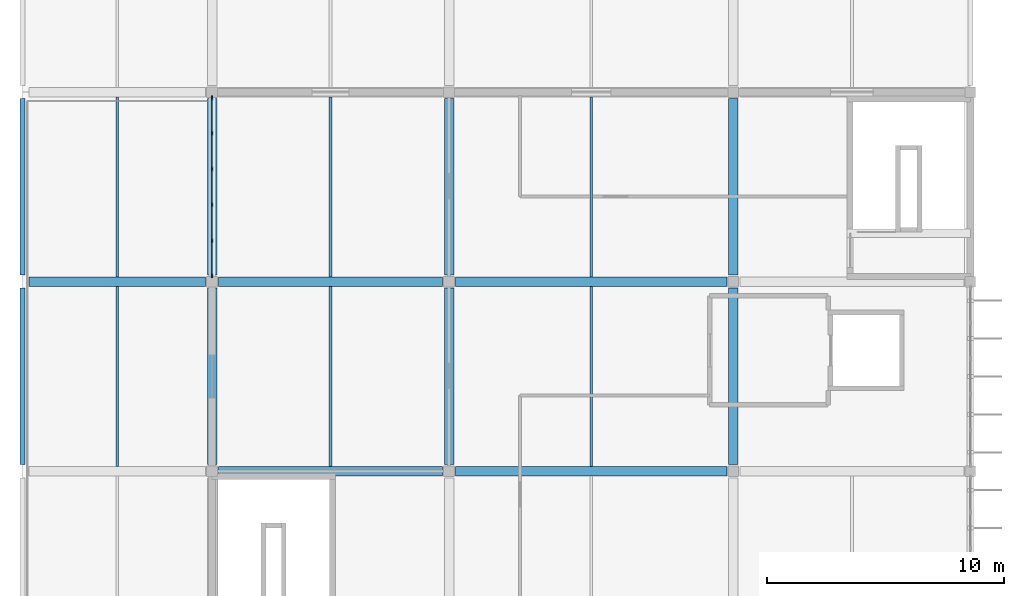
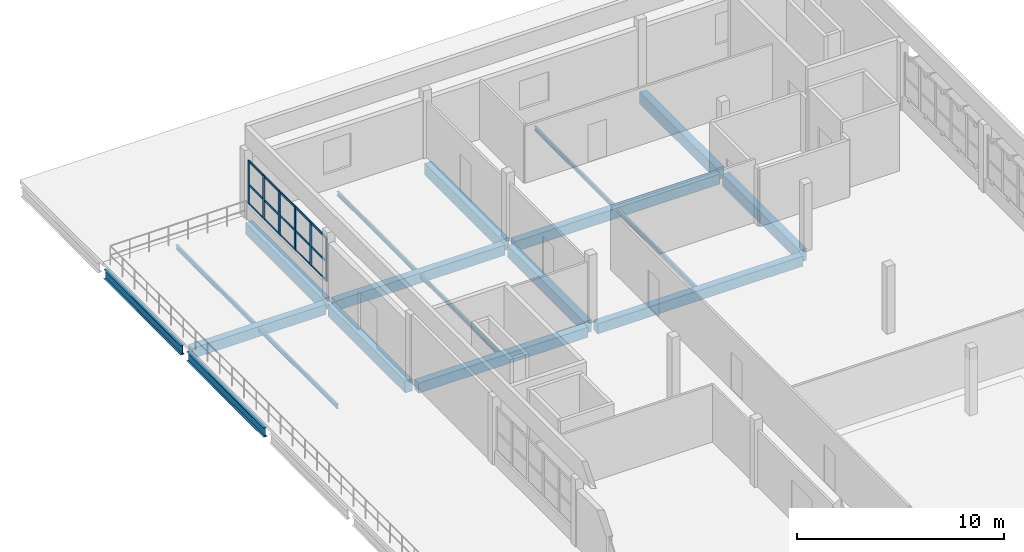
# One storey, part 5 of 12: 21 members, 19 beams, 1 element without a shape of its own.
"""IFC4 building model written with IfcOpenShell, lengths in metres."""

from ifc_helpers import new_model, si_unit, direction, frame, origin, origin_2d, place, context, subcontext, project, spatial, rectangle, i_section, extrude, material, layer, layer_set, material_profile, profile_set, type_object, element, aggregate, save


model = new_model("IFC4")

# Units and contexts
model_context = context("Model", 3, precision=1e-05, world=origin(), true_north=direction((0.0, 1.0)))
body_context = subcontext(model_context, "Body", "Model", "MODEL_VIEW")
ifc_project = project(units=[si_unit("LENGTHUNIT", "METRE"), si_unit("AREAUNIT", "SQUARE_METRE"), si_unit("VOLUMEUNIT", "CUBIC_METRE"), si_unit("PLANEANGLEUNIT", "RADIAN"), si_unit("MASSUNIT", "GRAM", prefix="KILO")], contexts=[model_context])

# Site, building, storey
site_placement = place(None, origin())
site = spatial("IfcSite", under=ifc_project, at=site_placement, CompositionType="ELEMENT")
building_placement = place(site_placement, origin())
building = spatial("IfcBuilding", under=site, at=building_placement, Name="Drelvana Railside Aquatics Centre", CompositionType="ELEMENT")
storey_placement = place(building_placement, frame((0.0, 0.0, 18.60009765625)))
storey = spatial("IfcBuildingStorey", under=building, at=storey_placement, Name="L04", CompositionType="ELEMENT", Elevation=18.60009765625)

# Curtain wall, members
ifc_material_1 = material(Name="Bronze-anodised aluminium curtain wall", Category="aluminium")
ifc_layer = layer(ifc_material_1, 0.175048828125, Name="Bronze-anodised aluminium curtain wall")
ifc_layer_set = layer_set([ifc_layer], Name="Bronze-anodised aluminium curtain wall")
curtain_wall_type = type_object("IfcCurtainWallType", Name="CW-Z6-WING", PredefinedType="NOTDEFINED", material=ifc_layer_set)
curtain_wall_placement = place(storey_placement, origin())
curtain_wall = element("IfcCurtainWall", 1, at=curtain_wall_placement, inside=storey, type_object=curtain_wall_type, Name="Curtain wall CW-06-165", PredefinedType="NOTDEFINED")
ifc_material_2 = material(Name="Bronze-anodised aluminium 6063-T6", Category="aluminium")
ifc_material_profile_1 = material_profile(ifc_material_2, rectangle(XDim=0.06494140625, YDim=0.175048828125, at=origin_2d()), Name="ALU-M 65x175")
ifc_profile_set_1 = profile_set([ifc_material_profile_1], Name="Bronze-anodised aluminium 6063-T6")
member_type_1 = type_object("IfcMemberType", Name="CW-Z6-WING-MUL", PredefinedType="MULLION", material=ifc_profile_set_1)
member_1_placement = place(storey_placement, frame((152.0, 72.25146484375, 0.7939453125), z_axis=(0.0, 0.0, 1.0), x_axis=(-1.0, 0.0, 0.0)))
member_1 = element("IfcMember", 2, at=member_1_placement, type_object=member_type_1, Name="CW-06 mullion 1", PredefinedType="MULLION", context=body_context, shape_type="SweptSolid", body=[
    extrude(rectangle(XDim=0.06494140625, YDim=0.175048828125, at=origin_2d()), origin(), (0.0, 0.0, 1.0), 2.571044921875),
])
member_2_placement = place(storey_placement, frame((152.0, 73.7314453125, 0.7939453125), z_axis=(0.0, 0.0, 1.0), x_axis=(-1.0, 0.0, 0.0)))
member_2 = element("IfcMember", 3, at=member_2_placement, type_object=member_type_1, Name="CW-06 mullion 2", PredefinedType="MULLION", context=body_context, shape_type="SweptSolid", body=[
    extrude(rectangle(XDim=0.06494140625, YDim=0.175048828125, at=origin_2d()), origin(), (0.0, 0.0, 1.0), 2.571044921875),
])
member_3_placement = place(storey_placement, frame((152.0, 75.243896484375, 0.7939453125), z_axis=(0.0, 0.0, 1.0), x_axis=(-1.0, 0.0, 0.0)))
member_3 = element("IfcMember", 4, at=member_3_placement, type_object=member_type_1, Name="CW-06 mullion 3", PredefinedType="MULLION", context=body_context, shape_type="SweptSolid", body=[
    extrude(rectangle(XDim=0.06494140625, YDim=0.175048828125, at=origin_2d()), origin(), (0.0, 0.0, 1.0), 2.571044921875),
])
member_4_placement = place(storey_placement, frame((152.0, 76.756103515625, 0.7939453125), z_axis=(0.0, 0.0, 1.0), x_axis=(-1.0, 0.0, 0.0)))
member_4 = element("IfcMember", 5, at=member_4_placement, type_object=member_type_1, Name="CW-06 mullion 4", PredefinedType="MULLION", context=body_context, shape_type="SweptSolid", body=[
    extrude(rectangle(XDim=0.06494140625, YDim=0.175048828125, at=origin_2d()), origin(), (0.0, 0.0, 1.0), 2.571044921875),
])
member_5_placement = place(storey_placement, frame((152.0, 78.2685546875, 0.7939453125), z_axis=(0.0, 0.0, 1.0), x_axis=(-1.0, 0.0, 0.0)))
member_5 = element("IfcMember", 6, at=member_5_placement, type_object=member_type_1, Name="CW-06 mullion 5", PredefinedType="MULLION", context=body_context, shape_type="SweptSolid", body=[
    extrude(rectangle(XDim=0.06494140625, YDim=0.175048828125, at=origin_2d()), origin(), (0.0, 0.0, 1.0), 2.571044921875),
])
member_6_placement = place(storey_placement, frame((152.0, 79.74853515625, 0.7939453125), z_axis=(0.0, 0.0, 1.0), x_axis=(-1.0, 0.0, 0.0)))
member_6 = element("IfcMember", 7, at=member_6_placement, type_object=member_type_1, Name="CW-06 mullion 6", PredefinedType="MULLION", context=body_context, shape_type="SweptSolid", body=[
    extrude(rectangle(XDim=0.06494140625, YDim=0.175048828125, at=origin_2d()), origin(), (0.0, 0.0, 1.0), 2.571044921875),
])
ifc_material_profile_2 = material_profile(ifc_material_2, rectangle(XDim=0.1201171875, YDim=0.06005859375, at=origin_2d()), Name="ALU-T 60x120")
ifc_profile_set_2 = profile_set([ifc_material_profile_2], Name="Bronze-anodised aluminium 6063-T6")
member_type_2 = type_object("IfcMemberType", Name="CW-Z6-WING-TRN", PredefinedType="USERDEFINED", material=ifc_profile_set_2)
member_7_placement = place(storey_placement, frame((152.0, 72.279052734375, 0.823974609375), z_axis=(0.0, 1.0, 0.0), x_axis=(0.0, 0.0, 1.0)))
member_7 = element("IfcMember", 8, at=member_7_placement, type_object=member_type_2, Name="CW-06 transom 1.1", ObjectType="TRANSOM", PredefinedType="USERDEFINED", context=body_context, shape_type="SweptSolid", body=[
    extrude(rectangle(XDim=0.1201171875, YDim=0.06005859375, at=origin_2d()), origin(), (0.0, 0.0, 1.0), 1.4248046875),
])
member_8_placement = place(storey_placement, frame((152.0, 72.279052734375, 1.950927734375), z_axis=(0.0, 1.0, 0.0), x_axis=(0.0, 0.0, 1.0)))
member_8 = element("IfcMember", 9, at=member_8_placement, type_object=member_type_2, Name="CW-06 transom 1.2", ObjectType="TRANSOM", PredefinedType="USERDEFINED", context=body_context, shape_type="SweptSolid", body=[
    extrude(rectangle(XDim=0.1201171875, YDim=0.06005859375, at=origin_2d()), origin(), (0.0, 0.0, 1.0), 1.4248046875),
])
member_9_placement = place(storey_placement, frame((152.0, 72.279052734375, 3.3349609375), z_axis=(0.0, 1.0, 0.0), x_axis=(0.0, 0.0, 1.0)))
member_9 = element("IfcMember", 10, at=member_9_placement, type_object=member_type_2, Name="CW-06 transom 1.3", ObjectType="TRANSOM", PredefinedType="USERDEFINED", context=body_context, shape_type="SweptSolid", body=[
    extrude(rectangle(XDim=0.1201171875, YDim=0.06005859375, at=origin_2d()), origin(), (0.0, 0.0, 1.0), 1.4248046875),
])
member_10_placement = place(storey_placement, frame((152.0, 73.7587890625, 0.823974609375), z_axis=(0.0, 1.0, 0.0), x_axis=(0.0, 0.0, 1.0)))
member_10 = element("IfcMember", 11, at=member_10_placement, type_object=member_type_2, Name="CW-06 transom 2.1", ObjectType="TRANSOM", PredefinedType="USERDEFINED", context=body_context, shape_type="SweptSolid", body=[
    extrude(rectangle(XDim=0.1201171875, YDim=0.06005859375, at=origin_2d()), origin(), (0.0, 0.0, 1.0), 1.45751953125),
])
member_11_placement = place(storey_placement, frame((152.0, 73.7587890625, 1.950927734375), z_axis=(0.0, 1.0, 0.0), x_axis=(0.0, 0.0, 1.0)))
member_11 = element("IfcMember", 12, at=member_11_placement, type_object=member_type_2, Name="CW-06 transom 2.2", ObjectType="TRANSOM", PredefinedType="USERDEFINED", context=body_context, shape_type="SweptSolid", body=[
    extrude(rectangle(XDim=0.1201171875, YDim=0.06005859375, at=origin_2d()), origin(), (0.0, 0.0, 1.0), 1.45751953125),
])
member_12_placement = place(storey_placement, frame((152.0, 73.7587890625, 3.3349609375), z_axis=(0.0, 1.0, 0.0), x_axis=(0.0, 0.0, 1.0)))
member_12 = element("IfcMember", 13, at=member_12_placement, type_object=member_type_2, Name="CW-06 transom 2.3", ObjectType="TRANSOM", PredefinedType="USERDEFINED", context=body_context, shape_type="SweptSolid", body=[
    extrude(rectangle(XDim=0.1201171875, YDim=0.06005859375, at=origin_2d()), origin(), (0.0, 0.0, 1.0), 1.45751953125),
])
member_13_placement = place(storey_placement, frame((152.0, 75.271240234375, 0.823974609375), z_axis=(0.0, 1.0, 0.0), x_axis=(0.0, 0.0, 1.0)))
member_13 = element("IfcMember", 14, at=member_13_placement, type_object=member_type_2, Name="CW-06 transom 3.1", ObjectType="TRANSOM", PredefinedType="USERDEFINED", context=body_context, shape_type="SweptSolid", body=[
    extrude(rectangle(XDim=0.1201171875, YDim=0.06005859375, at=origin_2d()), origin(), (0.0, 0.0, 1.0), 1.45751953125),
])
member_14_placement = place(storey_placement, frame((152.0, 75.271240234375, 1.950927734375), z_axis=(0.0, 1.0, 0.0), x_axis=(0.0, 0.0, 1.0)))
member_14 = element("IfcMember", 15, at=member_14_placement, type_object=member_type_2, Name="CW-06 transom 3.2", ObjectType="TRANSOM", PredefinedType="USERDEFINED", context=body_context, shape_type="SweptSolid", body=[
    extrude(rectangle(XDim=0.1201171875, YDim=0.06005859375, at=origin_2d()), origin(), (0.0, 0.0, 1.0), 1.45751953125),
])
member_15_placement = place(storey_placement, frame((152.0, 75.271240234375, 3.3349609375), z_axis=(0.0, 1.0, 0.0), x_axis=(0.0, 0.0, 1.0)))
member_15 = element("IfcMember", 16, at=member_15_placement, type_object=member_type_2, Name="CW-06 transom 3.3", ObjectType="TRANSOM", PredefinedType="USERDEFINED", context=body_context, shape_type="SweptSolid", body=[
    extrude(rectangle(XDim=0.1201171875, YDim=0.06005859375, at=origin_2d()), origin(), (0.0, 0.0, 1.0), 1.45751953125),
])
member_16_placement = place(storey_placement, frame((152.0, 76.78369140625, 0.823974609375), z_axis=(0.0, 1.0, 0.0), x_axis=(0.0, 0.0, 1.0)))
member_16 = element("IfcMember", 17, at=member_16_placement, type_object=member_type_2, Name="CW-06 transom 4.1", ObjectType="TRANSOM", PredefinedType="USERDEFINED", context=body_context, shape_type="SweptSolid", body=[
    extrude(rectangle(XDim=0.1201171875, YDim=0.06005859375, at=origin_2d()), origin(), (0.0, 0.0, 1.0), 1.45751953125),
])
member_17_placement = place(storey_placement, frame((152.0, 76.78369140625, 1.950927734375), z_axis=(0.0, 1.0, 0.0), x_axis=(0.0, 0.0, 1.0)))
member_17 = element("IfcMember", 18, at=member_17_placement, type_object=member_type_2, Name="CW-06 transom 4.2", ObjectType="TRANSOM", PredefinedType="USERDEFINED", context=body_context, shape_type="SweptSolid", body=[
    extrude(rectangle(XDim=0.1201171875, YDim=0.06005859375, at=origin_2d()), origin(), (0.0, 0.0, 1.0), 1.45751953125),
])
member_18_placement = place(storey_placement, frame((152.0, 76.78369140625, 3.3349609375), z_axis=(0.0, 1.0, 0.0), x_axis=(0.0, 0.0, 1.0)))
member_18 = element("IfcMember", 19, at=member_18_placement, type_object=member_type_2, Name="CW-06 transom 4.3", ObjectType="TRANSOM", PredefinedType="USERDEFINED", context=body_context, shape_type="SweptSolid", body=[
    extrude(rectangle(XDim=0.1201171875, YDim=0.06005859375, at=origin_2d()), origin(), (0.0, 0.0, 1.0), 1.45751953125),
])
member_19_placement = place(storey_placement, frame((152.0, 78.296142578125, 0.823974609375), z_axis=(0.0, 1.0, 0.0), x_axis=(0.0, 0.0, 1.0)))
member_19 = element("IfcMember", 20, at=member_19_placement, type_object=member_type_2, Name="CW-06 transom 5.1", ObjectType="TRANSOM", PredefinedType="USERDEFINED", context=body_context, shape_type="SweptSolid", body=[
    extrude(rectangle(XDim=0.1201171875, YDim=0.06005859375, at=origin_2d()), origin(), (0.0, 0.0, 1.0), 1.4248046875),
])
member_20_placement = place(storey_placement, frame((152.0, 78.296142578125, 1.950927734375), z_axis=(0.0, 1.0, 0.0), x_axis=(0.0, 0.0, 1.0)))
member_20 = element("IfcMember", 21, at=member_20_placement, type_object=member_type_2, Name="CW-06 transom 5.2", ObjectType="TRANSOM", PredefinedType="USERDEFINED", context=body_context, shape_type="SweptSolid", body=[
    extrude(rectangle(XDim=0.1201171875, YDim=0.06005859375, at=origin_2d()), origin(), (0.0, 0.0, 1.0), 1.4248046875),
])
member_21_placement = place(storey_placement, frame((152.0, 78.296142578125, 3.3349609375), z_axis=(0.0, 1.0, 0.0), x_axis=(0.0, 0.0, 1.0)))
member_21 = element("IfcMember", 22, at=member_21_placement, type_object=member_type_2, Name="CW-06 transom 5.3", ObjectType="TRANSOM", PredefinedType="USERDEFINED", context=body_context, shape_type="SweptSolid", body=[
    extrude(rectangle(XDim=0.1201171875, YDim=0.06005859375, at=origin_2d()), origin(), (0.0, 0.0, 1.0), 1.4248046875),
])
aggregate(curtain_wall, [member_1, member_2, member_3, member_4, member_5, member_6, member_7, member_8, member_9, member_10, member_11, member_12, member_13, member_14, member_15, member_16, member_17, member_18, member_19, member_20, member_21])

# Beams
ifc_material_3 = material(Name="Concrete C40/50", Category="concrete")
ifc_material_profile_3 = material_profile(ifc_material_3, rectangle(XDim=0.39990234375, YDim=0.60009765625, at=origin_2d()), Name="RC 400x600")
ifc_profile_set_3 = profile_set([ifc_material_profile_3], Name="Concrete C40/50")
beam_type_1 = type_object("IfcBeamType", Name="STR-BM-BM-02-RC-400x600", PredefinedType="BEAM", material=ifc_profile_set_3)
beam_1_placement = place(storey_placement, frame((152.27490234375, 64.0, -0.525146484375), z_axis=(1.0, 0.0, 0.0), x_axis=(0.0, 1.0, 0.0)))
element("IfcBeam", 23, at=beam_1_placement, inside=storey, type_object=beam_type_1, Name="Girder BM-02 (L04)", PredefinedType="BEAM", context=body_context, shape_type="SweptSolid", body=[
    extrude(rectangle(XDim=0.39990234375, YDim=0.60009765625, at=origin_2d()), origin(), (0.0, 0.0, 1.0), 9.4501953125),
])
beam_2_placement = place(storey_placement, frame((162.27490234375, 64.0, -0.525146484375), z_axis=(1.0, 0.0, 0.0), x_axis=(0.0, 1.0, 0.0)))
element("IfcBeam", 24, at=beam_2_placement, inside=storey, type_object=beam_type_1, Name="Girder BM-02 (L04)", PredefinedType="BEAM", context=body_context, shape_type="SweptSolid", body=[
    extrude(rectangle(XDim=0.39990234375, YDim=0.60009765625, at=origin_2d()), origin(), (0.0, 0.0, 1.0), 11.4501953125),
])
beam_3_placement = place(storey_placement, frame((144.27490234375, 72.0, -0.525146484375), z_axis=(1.0, 0.0, 0.0), x_axis=(0.0, 1.0, 0.0)))
element("IfcBeam", 25, at=beam_3_placement, inside=storey, type_object=beam_type_1, Name="Girder BM-02 (L04)", PredefinedType="BEAM", context=body_context, shape_type="SweptSolid", body=[
    extrude(rectangle(XDim=0.39990234375, YDim=0.60009765625, at=origin_2d()), origin(), (0.0, 0.0, 1.0), 7.4501953125),
])
beam_4_placement = place(storey_placement, frame((152.27490234375, 72.0, -0.525146484375), z_axis=(1.0, 0.0, 0.0), x_axis=(0.0, 1.0, 0.0)))
element("IfcBeam", 26, at=beam_4_placement, inside=storey, type_object=beam_type_1, Name="Girder BM-02 (L04)", PredefinedType="BEAM", context=body_context, shape_type="SweptSolid", body=[
    extrude(rectangle(XDim=0.39990234375, YDim=0.60009765625, at=origin_2d()), origin(), (0.0, 0.0, 1.0), 9.4501953125),
])
beam_5_placement = place(storey_placement, frame((162.27490234375, 72.0, -0.525146484375), z_axis=(1.0, 0.0, 0.0), x_axis=(0.0, 1.0, 0.0)))
element("IfcBeam", 27, at=beam_5_placement, inside=storey, type_object=beam_type_1, Name="Girder BM-02 (L04)", PredefinedType="BEAM", context=body_context, shape_type="SweptSolid", body=[
    extrude(rectangle(XDim=0.39990234375, YDim=0.60009765625, at=origin_2d()), origin(), (0.0, 0.0, 1.0), 11.4501953125),
])
ifc_material_profile_4 = material_profile(ifc_material_3, rectangle(XDim=0.39990234375, YDim=0.699951171875, at=origin_2d()), Name="RC 400x700")
ifc_profile_set_4 = profile_set([ifc_material_profile_4], Name="Concrete C40/50")
beam_type_2 = type_object("IfcBeamType", Name="STR-BM-BM-03-RC-400x700", PredefinedType="BEAM", material=ifc_profile_set_4)
for number, where, z_axis, x_axis, name in (
    (28, (152.0, 64.27490234375, -0.5751953125), (0.0, 1.0, 0.0), (-1.0, 0.0, 0.0), "Girder BM-03 (L04)"),
    (29, (152.0, 72.27490234375, -0.5751953125), (0.0, 1.0, 0.0), (-1.0, 0.0, 0.0), "Girder BM-03 (L04)"),
    (30, (162.0, 64.27490234375, -0.5751953125), (0.0, 1.0, 0.0), (-1.0, 0.0, 0.0), "Girder BM-03 (L04)"),
    (31, (162.0, 72.27490234375, -0.5751953125), (0.0, 1.0, 0.0), (-1.0, 0.0, 0.0), "Girder BM-03 (L04)"),
    (32, (174.0, 64.27490234375, -0.5751953125), (0.0, 1.0, 0.0), (-1.0, 0.0, 0.0), "Girder BM-03 (L04)"),
    (33, (174.0, 72.27490234375, -0.5751953125), (0.0, 1.0, 0.0), (-1.0, 0.0, 0.0), "Girder BM-03 (L04)"),
):
    element("IfcBeam", number, at=place(storey_placement, frame(where, z_axis=z_axis, x_axis=x_axis)), inside=storey, type_object=beam_type_2, Name=name, PredefinedType="BEAM", context=body_context, shape_type="SweptSolid", body=[
        extrude(rectangle(XDim=0.39990234375, YDim=0.699951171875, at=origin_2d()), origin(), (0.0, 0.0, 1.0), 7.4501953125),
    ])
ifc_material_4 = material(Name="Structural steel S355", Category="steel")
ifc_material_profile_5 = material_profile(ifc_material_4, i_section(OverallWidth=0.2099609375, OverallDepth=0.550048828125, WebThickness=0.010986328125, FlangeThickness=0.01708984375, at=origin_2d()), Name="IPE 550")
ifc_profile_set_5 = profile_set([ifc_material_profile_5], Name="Structural steel S355")
beam_type_3 = type_object("IfcBeamType", Name="STR-SBM-SB-04-IPE-550", PredefinedType="SPANDREL", material=ifc_profile_set_5)
for number, where, z_axis, x_axis, name in (
    (34, (144.0, 64.27490234375, -0.5), (0.0, 1.0, 0.0), (-1.0, 0.0, 0.0), "Girder SB-04 (L04)"),
    (35, (144.0, 72.27490234375, -0.5), (0.0, 1.0, 0.0), (-1.0, 0.0, 0.0), "Girder SB-04 (L04)"),
):
    element("IfcBeam", number, at=place(storey_placement, frame(where, z_axis=z_axis, x_axis=x_axis)), inside=storey, type_object=beam_type_3, Name=name, PredefinedType="SPANDREL", context=body_context, shape_type="SweptSolid", body=[
        extrude(i_section(OverallWidth=0.2099609375, OverallDepth=0.550048828125, WebThickness=0.010986328125, FlangeThickness=0.01708984375, at=origin_2d()), origin(), (0.0, 0.0, 1.0), 7.4501953125),
    ])
ifc_material_profile_6 = material_profile(ifc_material_4, i_section(OverallWidth=0.1201171875, OverallDepth=0.239990234375, WebThickness=0.006103515625, FlangeThickness=0.009765625, at=origin_2d()), Name="IPE 240")
ifc_profile_set_6 = profile_set([ifc_material_profile_6], Name="Structural steel S355")
beam_type_4 = type_object("IfcBeamType", Name="STR-SBM-SJ-01-IPE-240", PredefinedType="JOIST", material=ifc_profile_set_6)
for number, where, z_axis, x_axis, name in (
    (36, (148.0, 64.199951171875, -0.34521484375), (0.0, 1.0, 0.0), (-1.0, 0.0, 0.0), "Secondary floor joist SJ-01 (L04)"),
    (37, (148.0, 72.199951171875, -0.34521484375), (0.0, 1.0, 0.0), (-1.0, 0.0, 0.0), "Secondary floor joist SJ-01 (L04)"),
    (38, (157.0, 64.199951171875, -0.34521484375), (0.0, 1.0, 0.0), (-1.0, 0.0, 0.0), "Secondary floor joist SJ-01 (L04)"),
    (39, (157.0, 72.199951171875, -0.34521484375), (0.0, 1.0, 0.0), (-1.0, 0.0, 0.0), "Secondary floor joist SJ-01 (L04)"),
    (40, (168.0, 64.199951171875, -0.34521484375), (0.0, 1.0, 0.0), (-1.0, 0.0, 0.0), "Secondary floor joist SJ-01 (L04)"),
    (41, (168.0, 72.199951171875, -0.34521484375), (0.0, 1.0, 0.0), (-1.0, 0.0, 0.0), "Secondary floor joist SJ-01 (L04)"),
):
    element("IfcBeam", number, at=place(storey_placement, frame(where, z_axis=z_axis, x_axis=x_axis)), inside=storey, type_object=beam_type_4, Name=name, PredefinedType="JOIST", context=body_context, shape_type="SweptSolid", body=[
        extrude(i_section(OverallWidth=0.1201171875, OverallDepth=0.239990234375, WebThickness=0.006103515625, FlangeThickness=0.009765625, at=origin_2d()), origin(), (0.0, 0.0, 1.0), 7.60009765625),
    ])

save(model, "model.ifc")
